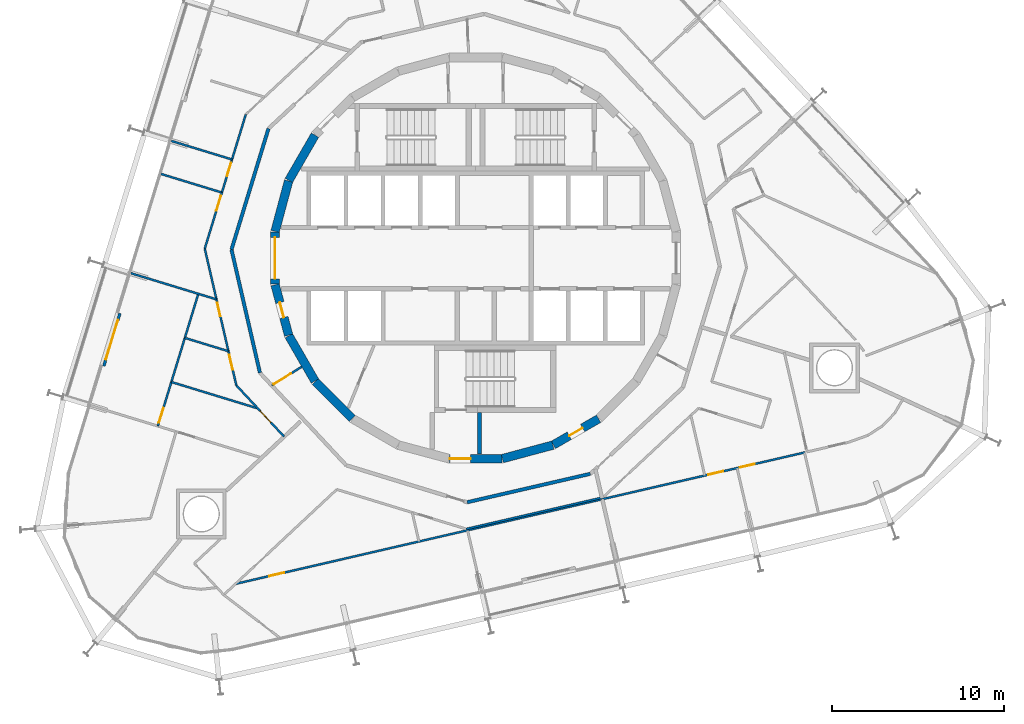
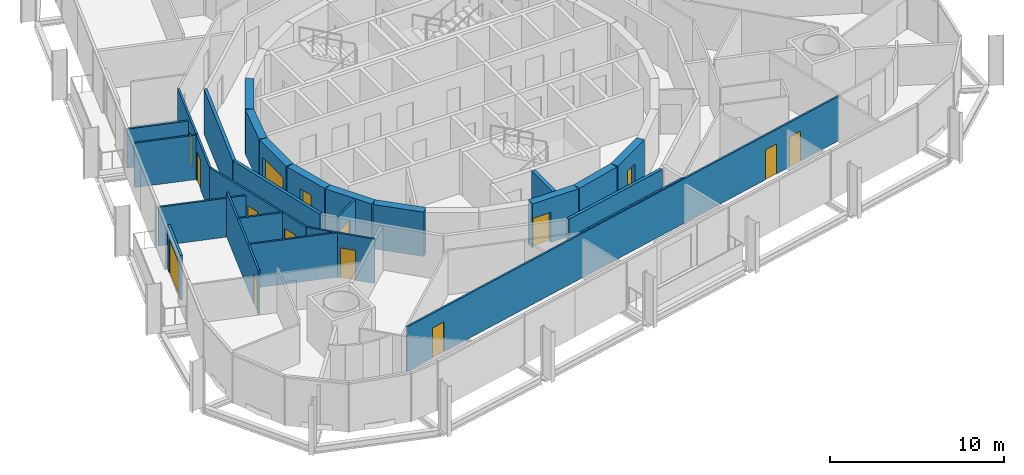
# One storey, part 12 of 18: 27 walls, 15 doors, 15 openings.
"""IFC4 building model written with IfcOpenShell, lengths in metres."""

from ifc_helpers import new_model, si_unit, direction, frame, frame_2d, origin, place, context, subcontext, project, spatial, rectangle, extrude, material, layer, layer_set, type_object, element, fill, save


model = new_model("IFC4")

# Units and contexts
model_context = context("Model", 3, precision=1e-05, world=origin(), true_north=direction((0.0, 1.0)))
body_context = subcontext(model_context, "Body", "Model", "MODEL_VIEW")
ifc_project = project(units=[si_unit("LENGTHUNIT", "METRE"), si_unit("AREAUNIT", "SQUARE_METRE"), si_unit("VOLUMEUNIT", "CUBIC_METRE"), si_unit("PLANEANGLEUNIT", "RADIAN"), si_unit("MASSUNIT", "GRAM", prefix="KILO")], contexts=[model_context])

# Site, building, storey
site_placement = place(None, origin())
site = spatial("IfcSite", under=ifc_project, at=site_placement, CompositionType="ELEMENT")
building_placement = place(site_placement, origin())
building = spatial("IfcBuilding", under=site, at=building_placement, Name="Spindle Arch Residences", CompositionType="ELEMENT")
storey_placement = place(building_placement, frame((0.0, 0.0, 130.89990234375)))
storey = spatial("IfcBuildingStorey", under=building, at=storey_placement, Name="L32", CompositionType="ELEMENT", Elevation=130.89990234375)

# Wall
ifc_material_1 = material(Name="Concrete C50/60", Category="concrete")
ifc_layer_1 = layer(ifc_material_1, 0.5)
ifc_layer_set_1 = layer_set([ifc_layer_1], Name="Core outline wall 500")
wall_type_1 = type_object("IfcWallType", Name="Core outline wall 500", PredefinedType="SHEAR", material=ifc_layer_set_1)
wall_1_placement = place(storey_placement, frame((1.5498046875, -11.642822265625, 0.0), z_axis=(0.0, 0.0, 1.0), x_axis=(0.965948410781, 0.258734743916, 0.0)))
element("IfcWall", 1, at=wall_1_placement, inside=storey, type_object=wall_type_1, Name="Core outline wall 1", PredefinedType="SHEAR", context=body_context, shape_type="SweptSolid", body=[
    extrude(rectangle(XDim=3.03271484375, YDim=0.5, at=frame_2d((1.516357421875, 0.0))), origin(), (0.0, 0.0, 1.0), 3.1201171875),
])

# Wall, opening, door
wall_2_placement = place(storey_placement, frame((4.510498046875, -10.84521484375, 0.0), z_axis=(0.0, 0.0, 1.0), x_axis=(0.865975092491, 0.500087131594, 0.0)))
wall_2 = element("IfcWall", 2, at=wall_2_placement, inside=storey, type_object=wall_type_1, Name="Core outline wall 2", PredefinedType="SHEAR", context=body_context, shape_type="SweptSolid", body=[
    extrude(rectangle(XDim=3.03271484375, YDim=0.5, at=frame_2d((1.516357421875, 0.0))), origin(), (0.0, 0.0, 1.0), 3.1201171875),
])
opening_1_placement = place(wall_2_placement, frame((1.06640625, 0.0, 0.0)))
opening_1 = element("IfcOpeningElement", 3, at=opening_1_placement, cuts=wall_2, Name="Opening R3B1-WD09", PredefinedType="OPENING", context=body_context, shape_type="SweptSolid", body=[
    extrude(rectangle(XDim=0.89990234375, YDim=2.10009765625, at=frame_2d((0.449951171875, 1.050048828125))), frame((0.0, 0.260009765625, 0.0), z_axis=(0.0, -1.0, 0.0), x_axis=(1.0, 0.0, 0.0)), (0.0, 0.0, 1.0), 0.52001953125),
])
ifc_material_2 = material(Name="Steel, fire-resisting door", Category="steel")
door_type_1 = type_object("IfcDoorType", Name="Service room door 900x2100", OperationType="SINGLE_SWING_LEFT", PredefinedType="DOOR", material=ifc_material_2)
door_1_placement = place(opening_1_placement, origin())
door_1 = element("IfcDoor", 4, at=door_1_placement, inside=storey, type_object=door_type_1, Name="Service room door R3B1-WD09", OperationType="SINGLE_SWING_RIGHT", OverallHeight=2.10009765625, OverallWidth=0.89990234375, PredefinedType="DOOR", context=body_context, shape_type="SweptSolid", body=[
    extrude(rectangle(XDim=0.89990234375, YDim=2.10009765625, at=frame_2d((0.449951171875, 1.050048828125))), frame((0.0, 0.02490234375, 0.0), z_axis=(0.0, -1.0, 0.0), x_axis=(1.0, 0.0, 0.0)), (0.0, 0.0, 1.0), 0.050048828125),
])
fill(opening_1, door_1)

# Walls
for number, where, z_axis, x_axis, name in (
    (5, (-9.32861328125, 7.13671875, 0.0), (0.0, 0.0, 1.0), (-0.500087131594, -0.865975092491, 0.0), "Core outline wall 16"),
    (6, (-10.858154296875, 4.479248046875, 0.0), (0.0, 0.0, 1.0), (-0.258734743916, -0.965948410781, 0.0), "Core outline wall 17"),
):
    element("IfcWall", number, at=place(storey_placement, frame(where, z_axis=z_axis, x_axis=x_axis)), inside=storey, type_object=wall_type_1, Name=name, PredefinedType="SHEAR", context=body_context, shape_type="SweptSolid", body=[
        extrude(rectangle(XDim=3.03271484375, YDim=0.5, at=frame_2d((1.516357421875, 0.0))), origin(), (0.0, 0.0, 1.0), 3.1201171875),
    ])

# Wall, opening, door
wall_3_placement = place(storey_placement, frame((-11.647216796875, 1.516357421875, 0.0), z_axis=(0.0, 0.0, 1.0), x_axis=(0.0, -1.0, 0.0)))
wall_3 = element("IfcWall", 7, at=wall_3_placement, inside=storey, type_object=wall_type_1, Name="Core outline wall 18", PredefinedType="SHEAR", context=body_context, shape_type="SweptSolid", body=[
    extrude(rectangle(XDim=3.03271484375, YDim=0.5, at=frame_2d((1.516357421875, 0.0))), origin(), (0.0, 0.0, 1.0), 3.1201171875),
])
opening_2_placement = place(wall_3_placement, frame((0.31640625, 0.0, 0.0)))
opening_2 = element("IfcOpeningElement", 8, at=opening_2_placement, cuts=wall_3, Name="Opening R3B1-LE01", PredefinedType="OPENING", context=body_context, shape_type="SweptSolid", body=[
    extrude(rectangle(XDim=2.39990234375, YDim=2.10009765625, at=frame_2d((1.199951171875, 1.050048828125))), frame((0.0, 0.260009765625, 0.0), z_axis=(0.0, -1.0, 0.0), x_axis=(1.0, 0.0, 0.0)), (0.0, 0.0, 1.0), 0.52001953125),
])
ifc_material_3 = material(Name="Steel, fire-resisting door", Category="steel")
door_type_2 = type_object("IfcDoorType", Name="Lift lobby entrance door 2400x2100", OperationType="DOUBLE_DOOR_SINGLE_SWING", PredefinedType="DOOR", material=ifc_material_3)
door_2_placement = place(opening_2_placement, origin())
door_2 = element("IfcDoor", 9, at=door_2_placement, inside=storey, type_object=door_type_2, Name="Lift lobby entrance door R3B1-LE01", OperationType="DOUBLE_DOOR_SINGLE_SWING", OverallHeight=2.10009765625, OverallWidth=2.39990234375, PredefinedType="DOOR", context=body_context, shape_type="SweptSolid", body=[
    extrude(rectangle(XDim=2.39990234375, YDim=2.10009765625, at=frame_2d((1.199951171875, 1.050048828125))), frame((0.0, 0.02490234375, 0.0), z_axis=(0.0, -1.0, 0.0), x_axis=(1.0, 0.0, 0.0)), (0.0, 0.0, 1.0), 0.050048828125),
])
fill(opening_2, door_2)

wall_4_placement = place(storey_placement, frame((-11.642822265625, -1.5498046875, 0.0), z_axis=(0.0, 0.0, 1.0), x_axis=(0.258734743916, -0.965948410781, 0.0)))
wall_4 = element("IfcWall", 10, at=wall_4_placement, inside=storey, type_object=wall_type_1, Name="Core outline wall 19", PredefinedType="SHEAR", context=body_context, shape_type="SweptSolid", body=[
    extrude(rectangle(XDim=3.03271484375, YDim=0.5, at=frame_2d((1.516357421875, 0.0))), origin(), (0.0, 0.0, 1.0), 3.1201171875),
])
opening_3_placement = place(wall_4_placement, frame((1.06640625, 0.0, 0.0)))
opening_3 = element("IfcOpeningElement", 11, at=opening_3_placement, cuts=wall_4, Name="Opening R3B1-WD10", PredefinedType="OPENING", context=body_context, shape_type="SweptSolid", body=[
    extrude(rectangle(XDim=0.89990234375, YDim=2.10009765625, at=frame_2d((0.449951171875, 1.050048828125))), frame((0.0, 0.260009765625, 0.0), z_axis=(0.0, -1.0, 0.0), x_axis=(1.0, 0.0, 0.0)), (0.0, 0.0, 1.0), 0.52001953125),
])
door_3_placement = place(opening_3_placement, origin())
door_3 = element("IfcDoor", 12, at=door_3_placement, inside=storey, type_object=door_type_1, Name="Service room door R3B1-WD10", OperationType="SINGLE_SWING_LEFT", OverallHeight=2.10009765625, OverallWidth=0.89990234375, PredefinedType="DOOR", context=body_context, shape_type="SweptSolid", body=[
    extrude(rectangle(XDim=0.89990234375, YDim=2.10009765625, at=frame_2d((0.449951171875, 1.050048828125))), frame((0.0, 0.02490234375, 0.0), z_axis=(0.0, -1.0, 0.0), x_axis=(1.0, 0.0, 0.0)), (0.0, 0.0, 1.0), 0.050048828125),
])
fill(opening_3, door_3)

# Walls
wall_5_placement = place(storey_placement, frame((-10.84521484375, -4.510498046875, 0.0), z_axis=(0.0, 0.0, 1.0), x_axis=(0.500087131594, -0.865975092491, 0.0)))
element("IfcWall", 13, at=wall_5_placement, inside=storey, type_object=wall_type_1, Name="Core outline wall 20", PredefinedType="SHEAR", context=body_context, shape_type="SweptSolid", body=[
    extrude(rectangle(XDim=3.03271484375, YDim=0.5, at=frame_2d((1.516357421875, 0.0))), origin(), (0.0, 0.0, 1.0), 3.1201171875),
])
wall_6_placement = place(storey_placement, frame((-9.30810546875, -7.163818359375, 0.0), z_axis=(0.0, 0.0, 1.0), x_axis=(0.707106781187, -0.707106781187, 0.0)))
element("IfcWall", 14, at=wall_6_placement, inside=storey, type_object=wall_type_1, Name="Core outline wall 21", PredefinedType="SHEAR", context=body_context, shape_type="SweptSolid", body=[
    extrude(rectangle(XDim=3.032470703125, YDim=0.5, at=frame_2d((1.51611328125, 0.0))), origin(), (0.0, 0.0, 1.0), 3.1201171875),
])

# Wall, opening, door
wall_7_placement = place(storey_placement, frame((-1.516357421875, -11.647216796875, 0.0), z_axis=(0.0, 0.0, 1.0), x_axis=(1.0, 0.0, 0.0)))
wall_7 = element("IfcWall", 15, at=wall_7_placement, inside=storey, type_object=wall_type_1, Name="Core outline wall 24", PredefinedType="SHEAR", context=body_context, shape_type="SweptSolid", body=[
    extrude(rectangle(XDim=3.03271484375, YDim=0.5, at=frame_2d((1.516357421875, 0.0))), origin(), (0.0, 0.0, 1.0), 3.1201171875),
])
opening_4_placement = place(wall_7_placement, frame((0.016357421875, 0.0, 0.0)))
opening_4 = element("IfcOpeningElement", 16, at=opening_4_placement, cuts=wall_7, Name="Opening R3B1-AD03", PredefinedType="OPENING", context=body_context, shape_type="SweptSolid", body=[
    extrude(rectangle(XDim=1.199951171875, YDim=2.10009765625, at=frame_2d((0.60009765625, 1.050048828125))), frame((0.0, 0.260009765625, 0.0), z_axis=(0.0, -1.0, 0.0), x_axis=(1.0, 0.0, 0.0)), (0.0, 0.0, 1.0), 0.52001953125),
])
ifc_material_4 = material(Name="Steel, fire-resisting door", Category="steel")
door_type_3 = type_object("IfcDoorType", Name="Stair airlock door 1200x2100", OperationType="SINGLE_SWING_LEFT", PredefinedType="DOOR", material=ifc_material_4)
door_4_placement = place(opening_4_placement, origin())
door_4 = element("IfcDoor", 17, at=door_4_placement, inside=storey, type_object=door_type_3, Name="Stair airlock door R3B1-AD03", OperationType="SINGLE_SWING_RIGHT", OverallHeight=2.10009765625, OverallWidth=1.199951171875, PredefinedType="DOOR", context=body_context, shape_type="SweptSolid", body=[
    extrude(rectangle(XDim=1.199951171875, YDim=2.10009765625, at=frame_2d((0.60009765625, 1.050048828125))), frame((0.0, 0.02490234375, 0.0), z_axis=(0.0, -1.0, 0.0), x_axis=(1.0, 0.0, 0.0)), (0.0, 0.0, 1.0), 0.050048828125),
])
fill(opening_4, door_4)

ifc_material_5 = material(Name="Plasterboard on steel studs", Category="steel")
ifc_layer_2 = layer(ifc_material_5, 0.1201171875)
ifc_layer_set_2 = layer_set([ifc_layer_2], Name="Corridor division wall 120")
wall_type_2 = type_object("IfcWallType", Name="Corridor division wall 120", PredefinedType="PARTITIONING", material=ifc_layer_set_2)
wall_8_placement = place(storey_placement, frame((-11.835693359375, -7.395751953125, 0.0), z_axis=(0.0, 0.0, 1.0), x_axis=(0.848071831599, 0.529881277692, 0.0)))
wall_8 = element("IfcWall", 18, at=wall_8_placement, inside=storey, type_object=wall_type_2, Name="Corridor division wall R3B1-W003", PredefinedType="PARTITIONING", context=body_context, shape_type="SweptSolid", body=[
    extrude(rectangle(XDim=2.0517578125, YDim=0.1201171875, at=frame_2d((1.02587890625, 0.0))), origin(), (0.0, 0.0, 1.0), 3.1201171875),
])
opening_5_placement = place(wall_8_placement, frame((0.125, 0.0, 0.0)))
opening_5 = element("IfcOpeningElement", 19, at=opening_5_placement, cuts=wall_8, Name="Opening R3B1-CD03", PredefinedType="OPENING", context=body_context, shape_type="SweptSolid", body=[
    extrude(rectangle(XDim=1.199951171875, YDim=2.10009765625, at=frame_2d((0.60009765625, 1.050048828125))), frame((0.0, 0.070068359375, 0.0), z_axis=(0.0, -1.0, 0.0), x_axis=(1.0, 0.0, 0.0)), (0.0, 0.0, 1.0), 0.14013671875),
])
ifc_material_6 = material(Name="Steel, fire-resisting door", Category="steel")
door_type_4 = type_object("IfcDoorType", Name="Corridor division door 1200x2100", OperationType="NOTDEFINED", PredefinedType="DOOR", material=ifc_material_6)
door_5_placement = place(opening_5_placement, origin())
door_5 = element("IfcDoor", 20, at=door_5_placement, inside=storey, type_object=door_type_4, Name="Corridor division door R3B1-CD03", OperationType="DOUBLE_DOOR_SINGLE_SWING", OverallHeight=2.10009765625, OverallWidth=1.199951171875, PredefinedType="DOOR", context=body_context, shape_type="SweptSolid", body=[
    extrude(rectangle(XDim=1.199951171875, YDim=2.10009765625, at=frame_2d((0.60009765625, 1.050048828125))), frame((0.0, 0.02490234375, 0.0), z_axis=(0.0, -1.0, 0.0), x_axis=(1.0, 0.0, 0.0)), (0.0, 0.0, 1.0), 0.050048828125),
])
fill(opening_5, door_5)

# Walls
ifc_material_7 = material(Name="Calcium silicate block, plastered")
ifc_layer_3 = layer(ifc_material_7, 0.199951171875)
ifc_layer_set_3 = layer_set([ifc_layer_3], Name="Corridor wall 200")
wall_type_3 = type_object("IfcWallType", Name="Corridor wall 200", PredefinedType="STANDARD", material=ifc_layer_set_3)
wall_9_placement = place(storey_placement, frame((-12.028076171875, 7.51611328125, 0.0), z_axis=(0.0, 0.0, 1.0), x_axis=(-0.292365533182, -0.956306642771, 0.0)))
element("IfcWall", 21, at=wall_9_placement, inside=storey, type_object=wall_type_3, Name="Corridor wall R3B1-W010", PredefinedType="STANDARD", context=body_context, shape_type="SweptSolid", body=[
    extrude(rectangle(XDim=7.341796875, YDim=0.199951171875, at=frame_2d((3.6708984375, 0.0))), origin(), (0.0, 0.0, 1.0), 3.1201171875),
])
for number, where, z_axis, x_axis, name in (
    (22, (-14.174560546875, 0.4951171875, 0.0), (0.0, 0.0, 1.0), (0.224922649383, -0.974376622151, 0.0), "Corridor wall R3B1-W011"),
    (23, (-0.4951171875, -14.174560546875, 0.0), (0.0, 0.0, 1.0), (0.974376622151, 0.224922649383, 0.0), "Corridor wall R3B1-W014"),
):
    element("IfcWall", number, at=place(storey_placement, frame(where, z_axis=z_axis, x_axis=x_axis)), inside=storey, type_object=wall_type_3, Name=name, PredefinedType="STANDARD", context=body_context, shape_type="SweptSolid", body=[
        extrude(rectangle(XDim=7.342041015625, YDim=0.199951171875, at=frame_2d((3.6708984375, 0.0))), origin(), (0.0, 0.0, 1.0), 3.1201171875),
    ])

# Wall, opening, door
ifc_material_8 = material(Name="Plasterboard on steel studs", Category="steel")
ifc_layer_4 = layer(ifc_material_8, 0.1201171875)
ifc_layer_set_4 = layer_set([ifc_layer_4], Name="Flat partition 120")
wall_type_4 = type_object("IfcWallType", Name="Flat partition 120", PredefinedType="PARTITIONING", material=ifc_layer_set_4)
wall_10_placement = place(storey_placement, frame((-13.34521484375, 8.3388671875, 0.0), z_axis=(0.0, 0.0, 1.0), x_axis=(-0.292341490839, -0.956313992752, 0.0)))
wall_10 = element("IfcWall", 24, at=wall_10_placement, inside=storey, type_object=wall_type_4, Name="Flat partition R3B1-W058", PredefinedType="PARTITIONING", context=body_context, shape_type="SweptSolid", body=[
    extrude(rectangle(XDim=4.74169921875, YDim=0.1201171875, at=frame_2d((2.370849609375, 0.0))), origin(), (0.0, 0.0, 1.0), 3.1201171875),
])
opening_6_placement = place(wall_10_placement, frame((2.9345703125, 0.0, 0.0)))
opening_6 = element("IfcOpeningElement", 25, at=opening_6_placement, cuts=wall_10, Name="Opening R3B1-BD03", PredefinedType="OPENING", context=body_context, shape_type="SweptSolid", body=[
    extrude(rectangle(XDim=0.800048828125, YDim=2.10009765625, at=frame_2d((0.39990234375, 1.050048828125))), frame((0.0, 0.070068359375, 0.0), z_axis=(0.0, -1.0, 0.0), x_axis=(1.0, 0.0, 0.0)), (0.0, 0.0, 1.0), 0.14013671875),
])
ifc_material_9 = material(Name="Timber door set", Category="wood")
door_type_5 = type_object("IfcDoorType", Name="Bathroom door 800x2100", OperationType="NOTDEFINED", PredefinedType="DOOR", material=ifc_material_9)
door_6_placement = place(opening_6_placement, origin())
door_6 = element("IfcDoor", 26, at=door_6_placement, inside=storey, type_object=door_type_5, Name="Bathroom door R3B1-BD03", OperationType="SINGLE_SWING_LEFT", OverallHeight=2.10009765625, OverallWidth=0.800048828125, PredefinedType="DOOR", context=body_context, shape_type="SweptSolid", body=[
    extrude(rectangle(XDim=0.800048828125, YDim=2.10009765625, at=frame_2d((0.39990234375, 1.050048828125))), frame((0.0, 0.02490234375, 0.0), z_axis=(0.0, -1.0, 0.0), x_axis=(1.0, 0.0, 0.0)), (0.0, 0.0, 1.0), 0.050048828125),
])
fill(opening_6, door_6)

wall_11_placement = place(storey_placement, frame((-14.7314453125, 3.80419921875, 0.0), z_axis=(0.0, 0.0, 1.0), x_axis=(-0.292371609919, -0.956304784947, 0.0)))
wall_11 = element("IfcWall", 27, at=wall_11_placement, inside=storey, type_object=wall_type_4, Name="Flat partition R3B1-W059", PredefinedType="PARTITIONING", context=body_context, shape_type="SweptSolid", body=[
    extrude(rectangle(XDim=3.403564453125, YDim=0.1201171875, at=frame_2d((1.70166015625, 0.0))), origin(), (0.0, 0.0, 1.0), 3.1201171875),
])
opening_7_placement = place(wall_11_placement, frame((0.199951171875, 0.0, 0.0)))
opening_7 = element("IfcOpeningElement", 28, at=opening_7_placement, cuts=wall_11, Name="Opening R3B1-ID13", PredefinedType="OPENING", context=body_context, shape_type="SweptSolid", body=[
    extrude(rectangle(XDim=0.89990234375, YDim=2.10009765625, at=frame_2d((0.449951171875, 1.050048828125))), frame((0.0, 0.070068359375, 0.0), z_axis=(0.0, -1.0, 0.0), x_axis=(1.0, 0.0, 0.0)), (0.0, 0.0, 1.0), 0.14013671875),
])
ifc_material_10 = material(Name="Timber door set", Category="wood")
door_type_6 = type_object("IfcDoorType", Name="Room door 900x2100", OperationType="NOTDEFINED", PredefinedType="DOOR", material=ifc_material_10)
door_7_placement = place(opening_7_placement, origin())
door_7 = element("IfcDoor", 29, at=door_7_placement, inside=storey, type_object=door_type_6, Name="Room door R3B1-ID13", OperationType="SINGLE_SWING_RIGHT", OverallHeight=2.10009765625, OverallWidth=0.89990234375, PredefinedType="DOOR", context=body_context, shape_type="SweptSolid", body=[
    extrude(rectangle(XDim=0.89990234375, YDim=2.10009765625, at=frame_2d((0.449951171875, 1.050048828125))), frame((0.0, 0.02490234375, 0.0), z_axis=(0.0, -1.0, 0.0), x_axis=(1.0, 0.0, 0.0)), (0.0, 0.0, 1.0), 0.050048828125),
])
fill(opening_7, door_7)

# Wall, openings, doors
wall_12_placement = place(storey_placement, frame((-15.7265625, 0.54931640625, 0.0), z_axis=(0.0, 0.0, 1.0), x_axis=(0.22493611855, -0.974373512864, 0.0)))
wall_12 = element("IfcWall", 30, at=wall_12_placement, inside=storey, type_object=wall_type_4, Name="Flat partition R3B1-W060", PredefinedType="PARTITIONING", context=body_context, shape_type="SweptSolid", body=[
    extrude(rectangle(XDim=8.145751953125, YDim=0.1201171875, at=frame_2d((4.07275390625, 0.0))), origin(), (0.0, 0.0, 1.0), 3.1201171875),
])
opening_8_placement = place(wall_12_placement, frame((3.22314453125, 0.0, 0.0)))
opening_8 = element("IfcOpeningElement", 31, at=opening_8_placement, cuts=wall_12, Name="Opening R3B1-BD04", PredefinedType="OPENING", context=body_context, shape_type="SweptSolid", body=[
    extrude(rectangle(XDim=0.800048828125, YDim=2.10009765625, at=frame_2d((0.39990234375, 1.050048828125))), frame((0.0, 0.070068359375, 0.0), z_axis=(0.0, -1.0, 0.0), x_axis=(1.0, 0.0, 0.0)), (0.0, 0.0, 1.0), 0.14013671875),
])
opening_9_placement = place(wall_12_placement, frame((6.313720703125, 0.0, 0.0)))
opening_9 = element("IfcOpeningElement", 32, at=opening_9_placement, cuts=wall_12, Name="Opening R3B1-ID14", PredefinedType="OPENING", context=body_context, shape_type="SweptSolid", body=[
    extrude(rectangle(XDim=0.89990234375, YDim=2.10009765625, at=frame_2d((0.449951171875, 1.050048828125))), frame((0.0, 0.070068359375, 0.0), z_axis=(0.0, -1.0, 0.0), x_axis=(1.0, 0.0, 0.0)), (0.0, 0.0, 1.0), 0.14013671875),
])
door_8_placement = place(opening_8_placement, origin())
door_8 = element("IfcDoor", 33, at=door_8_placement, inside=storey, type_object=door_type_5, Name="Bathroom door R3B1-BD04", OperationType="SINGLE_SWING_RIGHT", OverallHeight=2.10009765625, OverallWidth=0.800048828125, PredefinedType="DOOR", context=body_context, shape_type="SweptSolid", body=[
    extrude(rectangle(XDim=0.800048828125, YDim=2.10009765625, at=frame_2d((0.39990234375, 1.050048828125))), frame((0.0, 0.02490234375, 0.0), z_axis=(0.0, -1.0, 0.0), x_axis=(1.0, 0.0, 0.0)), (0.0, 0.0, 1.0), 0.050048828125),
])
fill(opening_8, door_8)
door_9_placement = place(opening_9_placement, origin())
door_9 = element("IfcDoor", 34, at=door_9_placement, inside=storey, type_object=door_type_6, Name="Room door R3B1-ID14", OperationType="SINGLE_SWING_RIGHT", OverallHeight=2.10009765625, OverallWidth=0.89990234375, PredefinedType="DOOR", context=body_context, shape_type="SweptSolid", body=[
    extrude(rectangle(XDim=0.89990234375, YDim=2.10009765625, at=frame_2d((0.449951171875, 1.050048828125))), frame((0.0, 0.02490234375, 0.0), z_axis=(0.0, -1.0, 0.0), x_axis=(1.0, 0.0, 0.0)), (0.0, 0.0, 1.0), 0.050048828125),
])
fill(opening_9, door_9)

# Wall, opening, door
wall_13_placement = place(storey_placement, frame((-13.894287109375, -7.3876953125, 0.0), z_axis=(0.0, 0.0, 1.0), x_axis=(0.681978591143, -0.731372135935, 0.0)))
wall_13 = element("IfcWall", 35, at=wall_13_placement, inside=storey, type_object=wall_type_4, Name="Flat partition R3B1-W061", PredefinedType="PARTITIONING", context=body_context, shape_type="SweptSolid", body=[
    extrude(rectangle(XDim=4.07275390625, YDim=0.1201171875, at=frame_2d((2.036376953125, 0.0))), origin(), (0.0, 0.0, 1.0), 3.1201171875),
])
opening_10_placement = place(wall_13_placement, frame((2.033203125, 0.0, 0.0)))
opening_10 = element("IfcOpeningElement", 36, at=opening_10_placement, cuts=wall_13, Name="Opening R3B1-ID15", PredefinedType="OPENING", context=body_context, shape_type="SweptSolid", body=[
    extrude(rectangle(XDim=0.89990234375, YDim=2.10009765625, at=frame_2d((0.449951171875, 1.050048828125))), frame((0.0, 0.070068359375, 0.0), z_axis=(0.0, -1.0, 0.0), x_axis=(1.0, 0.0, 0.0)), (0.0, 0.0, 1.0), 0.14013671875),
])
door_10_placement = place(opening_10_placement, origin())
door_10 = element("IfcDoor", 37, at=door_10_placement, inside=storey, type_object=door_type_6, Name="Room door R3B1-ID15", OperationType="SINGLE_SWING_RIGHT", OverallHeight=2.10009765625, OverallWidth=0.89990234375, PredefinedType="DOOR", context=body_context, shape_type="SweptSolid", body=[
    extrude(rectangle(XDim=0.89990234375, YDim=2.10009765625, at=frame_2d((0.449951171875, 1.050048828125))), frame((0.0, 0.02490234375, 0.0), z_axis=(0.0, -1.0, 0.0), x_axis=(1.0, 0.0, 0.0)), (0.0, 0.0, 1.0), 0.050048828125),
])
fill(opening_10, door_10)

# Wall
wall_14_placement = place(storey_placement, frame((-14.7314453125, 3.80419921875, 0.0), z_axis=(0.0, 0.0, 1.0), x_axis=(-0.956303802771, 0.292374822456, 0.0)))
element("IfcWall", 38, at=wall_14_placement, inside=storey, type_object=wall_type_4, Name="Flat partition R3B1-W064", PredefinedType="PARTITIONING", context=body_context, shape_type="SweptSolid", body=[
    extrude(rectangle(XDim=3.69091796875, YDim=0.1201171875, at=frame_2d((1.845458984375, 0.0))), origin(), (0.0, 0.0, 1.0), 3.1201171875),
])

# Wall, opening, door
wall_15_placement = place(storey_placement, frame((-18.4482421875, -9.75244140625, 0.0), z_axis=(0.0, 0.0, 1.0), x_axis=(0.292365310779, 0.956306710764, 0.0)))
wall_15 = element("IfcWall", 39, at=wall_15_placement, inside=storey, type_object=wall_type_4, Name="Flat partition R3B1-W066", PredefinedType="PARTITIONING", context=body_context, shape_type="SweptSolid", body=[
    extrude(rectangle(XDim=8.029052734375, YDim=0.1201171875, at=frame_2d((4.0146484375, 0.0))), origin(), (0.0, 0.0, 1.0), 3.1201171875),
])
opening_11_placement = place(wall_15_placement, frame((0.199951171875, 0.0, 0.0)))
opening_11 = element("IfcOpeningElement", 40, at=opening_11_placement, cuts=wall_15, Name="Opening R3B1-ID16", PredefinedType="OPENING", context=body_context, shape_type="SweptSolid", body=[
    extrude(rectangle(XDim=0.89990234375, YDim=2.10009765625, at=frame_2d((0.449951171875, 1.050048828125))), frame((0.0, 0.070068359375, 0.0), z_axis=(0.0, -1.0, 0.0), x_axis=(1.0, 0.0, 0.0)), (0.0, 0.0, 1.0), 0.14013671875),
])
door_11_placement = place(opening_11_placement, origin())
door_11 = element("IfcDoor", 41, at=door_11_placement, inside=storey, type_object=door_type_6, Name="Room door R3B1-ID16", OperationType="SINGLE_SWING_RIGHT", OverallHeight=2.10009765625, OverallWidth=0.89990234375, PredefinedType="DOOR", context=body_context, shape_type="SweptSolid", body=[
    extrude(rectangle(XDim=0.89990234375, YDim=2.10009765625, at=frame_2d((0.449951171875, 1.050048828125))), frame((0.0, 0.02490234375, 0.0), z_axis=(0.0, -1.0, 0.0), x_axis=(1.0, 0.0, 0.0)), (0.0, 0.0, 1.0), 0.050048828125),
])
fill(opening_11, door_11)

# Walls
wall_16_placement = place(storey_placement, frame((-16.88330078125, -4.633544921875, 0.0), z_axis=(0.0, 0.0, 1.0), x_axis=(0.956297869455, -0.292394228526, 0.0)))
element("IfcWall", 42, at=wall_16_placement, inside=storey, type_object=wall_type_4, Name="Flat partition R3B1-W068", PredefinedType="PARTITIONING", context=body_context, shape_type="SweptSolid", body=[
    extrude(rectangle(XDim=2.647705078125, YDim=0.1201171875, at=frame_2d((1.32373046875, 0.0))), origin(), (0.0, 0.0, 1.0), 3.1201171875),
])
wall_17_placement = place(storey_placement, frame((-17.665771484375, -7.193115234375, 0.0), z_axis=(0.0, 0.0, 1.0), x_axis=(0.956299223218, -0.292389800905, 0.0)))
element("IfcWall", 43, at=wall_17_placement, inside=storey, type_object=wall_type_4, Name="Flat partition R3B1-W069", PredefinedType="PARTITIONING", context=body_context, shape_type="SweptSolid", body=[
    extrude(rectangle(XDim=5.251220703125, YDim=0.1201171875, at=frame_2d((2.62548828125, 0.0))), origin(), (0.0, 0.0, 1.0), 3.1201171875),
])
wall_18_placement = place(storey_placement, frame((-0.54931640625, -15.7265625, 0.0), z_axis=(0.0, 0.0, 1.0), x_axis=(0.97436829548, 0.224958717908, 0.0)))
element("IfcWall", 44, at=wall_18_placement, inside=storey, type_object=wall_type_4, Name="Flat partition R3B1-W076", PredefinedType="PARTITIONING", context=body_context, shape_type="SweptSolid", body=[
    extrude(rectangle(XDim=8.08740234375, YDim=0.1201171875, at=frame_2d((4.043701171875, 0.0))), origin(), (0.0, 0.0, 1.0), 3.1201171875),
])

# Wall, openings, doors
wall_19_placement = place(storey_placement, frame((-13.938720703125, -18.9111328125, 0.0), z_axis=(0.0, 0.0, 1.0), x_axis=(0.974369607456, 0.224953035245, 0.0)))
wall_19 = element("IfcWall", 45, at=wall_19_placement, inside=storey, type_object=wall_type_4, Name="Flat partition R3B1-W082", PredefinedType="PARTITIONING", context=body_context, shape_type="SweptSolid", body=[
    extrude(rectangle(XDim=33.933837890625, YDim=0.1201171875, at=frame_2d((16.966796875, 0.0))), origin(), (0.0, 0.0, 1.0), 3.1201171875),
])
opening_12_placement = place(wall_19_placement, frame((2.0, 0.0, 0.0)))
opening_12 = element("IfcOpeningElement", 46, at=opening_12_placement, cuts=wall_19, Name="Opening R3B1-ID21", PredefinedType="OPENING", context=body_context, shape_type="SweptSolid", body=[
    extrude(rectangle(XDim=0.89990234375, YDim=2.10009765625, at=frame_2d((0.449951171875, 1.050048828125))), frame((0.0, 0.070068359375, 0.0), z_axis=(0.0, -1.0, 0.0), x_axis=(1.0, 0.0, 0.0)), (0.0, 0.0, 1.0), 0.14013671875),
])
opening_13_placement = place(wall_19_placement, frame((28.153564453125, 0.0, 0.0)))
opening_13 = element("IfcOpeningElement", 47, at=opening_13_placement, cuts=wall_19, Name="Opening R3B1-ID25", PredefinedType="OPENING", context=body_context, shape_type="SweptSolid", body=[
    extrude(rectangle(XDim=0.89990234375, YDim=2.10009765625, at=frame_2d((0.449951171875, 1.050048828125))), frame((0.0, 0.070068359375, 0.0), z_axis=(0.0, -1.0, 0.0), x_axis=(1.0, 0.0, 0.0)), (0.0, 0.0, 1.0), 0.14013671875),
])
opening_14_placement = place(wall_19_placement, frame((30.039306640625, 0.0, 0.0)))
opening_14 = element("IfcOpeningElement", 48, at=opening_14_placement, cuts=wall_19, Name="Opening R3B1-ID26", PredefinedType="OPENING", context=body_context, shape_type="SweptSolid", body=[
    extrude(rectangle(XDim=0.89990234375, YDim=2.10009765625, at=frame_2d((0.449951171875, 1.050048828125))), frame((0.0, 0.070068359375, 0.0), z_axis=(0.0, -1.0, 0.0), x_axis=(1.0, 0.0, 0.0)), (0.0, 0.0, 1.0), 0.14013671875),
])
door_12_placement = place(opening_12_placement, origin())
door_12 = element("IfcDoor", 49, at=door_12_placement, inside=storey, type_object=door_type_6, Name="Room door R3B1-ID21", OperationType="SINGLE_SWING_LEFT", OverallHeight=2.10009765625, OverallWidth=0.89990234375, PredefinedType="DOOR", context=body_context, shape_type="SweptSolid", body=[
    extrude(rectangle(XDim=0.89990234375, YDim=2.10009765625, at=frame_2d((0.449951171875, 1.050048828125))), frame((0.0, 0.02490234375, 0.0), z_axis=(0.0, -1.0, 0.0), x_axis=(1.0, 0.0, 0.0)), (0.0, 0.0, 1.0), 0.050048828125),
])
fill(opening_12, door_12)
door_13_placement = place(opening_13_placement, origin())
door_13 = element("IfcDoor", 50, at=door_13_placement, inside=storey, type_object=door_type_6, Name="Room door R3B1-ID25", OperationType="SINGLE_SWING_RIGHT", OverallHeight=2.10009765625, OverallWidth=0.89990234375, PredefinedType="DOOR", context=body_context, shape_type="SweptSolid", body=[
    extrude(rectangle(XDim=0.89990234375, YDim=2.10009765625, at=frame_2d((0.449951171875, 1.050048828125))), frame((0.0, 0.02490234375, 0.0), z_axis=(0.0, -1.0, 0.0), x_axis=(1.0, 0.0, 0.0)), (0.0, 0.0, 1.0), 0.050048828125),
])
fill(opening_13, door_13)
door_14_placement = place(opening_14_placement, origin())
door_14 = element("IfcDoor", 51, at=door_14_placement, inside=storey, type_object=door_type_6, Name="Room door R3B1-ID26", OperationType="SINGLE_SWING_RIGHT", OverallHeight=2.10009765625, OverallWidth=0.89990234375, PredefinedType="DOOR", context=body_context, shape_type="SweptSolid", body=[
    extrude(rectangle(XDim=0.89990234375, YDim=2.10009765625, at=frame_2d((0.449951171875, 1.050048828125))), frame((0.0, 0.02490234375, 0.0), z_axis=(0.0, -1.0, 0.0), x_axis=(1.0, 0.0, 0.0)), (0.0, 0.0, 1.0), 0.050048828125),
])
fill(opening_14, door_14)

# Walls
ifc_material_11 = material(Name="Plasterboard on steel studs", Category="steel")
ifc_layer_5 = layer(ifc_material_11, 0.1201171875)
ifc_layer_set_5 = layer_set([ifc_layer_5], Name="Flat partition 120 under beam 2730")
wall_type_5 = type_object("IfcWallType", Name="Flat partition 120 under beam 2730", PredefinedType="PARTITIONING", material=ifc_layer_set_5)
wall_20_placement = place(storey_placement, frame((-17.67431640625, 6.802978515625, 0.0), z_axis=(0.0, 0.0, 1.0), x_axis=(0.956309456779, -0.292356328604, 0.0)))
element("IfcWall", 52, at=wall_20_placement, inside=storey, type_object=wall_type_5, Name="Flat partition R3B1-W063", PredefinedType="PARTITIONING", context=body_context, shape_type="SweptSolid", body=[
    extrude(rectangle(XDim=3.691162109375, YDim=0.1201171875, at=frame_2d((1.845703125, 0.0))), origin(), (0.0, 0.0, 1.0), 2.72998046875),
])
wall_21_placement = place(storey_placement, frame((-20.021728515625, -0.87548828125, 0.0), z_axis=(0.0, 0.0, 1.0), x_axis=(0.956311126457, -0.292350866963, 0.0)))
element("IfcWall", 53, at=wall_21_placement, inside=storey, type_object=wall_type_5, Name="Flat partition R3B1-W065", PredefinedType="PARTITIONING", context=body_context, shape_type="SweptSolid", body=[
    extrude(rectangle(XDim=5.20263671875, YDim=0.1201171875, at=frame_2d((2.601318359375, 0.0))), origin(), (0.0, 0.0, 1.0), 2.72998046875),
])

# Wall, opening, door
ifc_material_12 = material(Name="Non-combustible mineral wool insulated aluminium faced external wall (K0)", Category="aluminium")
ifc_layer_6 = layer(ifc_material_12, 0.159912109375)
ifc_layer_set_6 = layer_set([ifc_layer_6], Name="Insulated external wall panel 160")
wall_type_6 = type_object("IfcWallType", Name="Insulated external wall panel 160", PredefinedType="STANDARD", material=ifc_layer_set_6)
wall_22_placement = place(storey_placement, frame((-20.651123046875, -3.2080078125, 0.0), z_axis=(0.0, 0.0, 1.0), x_axis=(-0.292369725807, -0.956305360976, 0.0)))
wall_22 = element("IfcWall", 54, at=wall_22_placement, inside=storey, type_object=wall_type_6, Name="External wall L32 bay 16", PredefinedType="STANDARD", context=body_context, shape_type="SweptSolid", body=[
    extrude(rectangle(XDim=3.199951171875, YDim=0.159912109375, at=frame_2d((1.60009765625, 0.0))), origin(), (0.0, 0.0, 1.0), 3.1201171875),
])
opening_15_placement = place(wall_22_placement, frame((0.39990234375, 0.0, 0.0)))
opening_15 = element("IfcOpeningElement", 55, at=opening_15_placement, cuts=wall_22, Name="Opening BD16", PredefinedType="OPENING", context=body_context, shape_type="SweptSolid", body=[
    extrude(rectangle(XDim=2.39990234375, YDim=2.39990234375, at=frame_2d((1.199951171875, 1.199951171875))), frame((0.0, 0.08984375, 0.0), z_axis=(0.0, -1.0, 0.0), x_axis=(1.0, 0.0, 0.0)), (0.0, 0.0, 1.0), 0.179931640625),
])
ifc_material_13 = material(Name="Bronze aluminium frame, tinted double glazing", Category="aluminium")
door_type_7 = type_object("IfcDoorType", Name="Sliding glazed balcony door 2400x2400", OperationType="DOUBLE_DOOR_SLIDING", PredefinedType="DOOR", material=ifc_material_13)
door_15_placement = place(opening_15_placement, origin())
door_15 = element("IfcDoor", 56, at=door_15_placement, inside=storey, type_object=door_type_7, Name="Balcony door BD16", OperationType="DOUBLE_DOOR_SLIDING", OverallHeight=2.39990234375, OverallWidth=2.39990234375, PredefinedType="DOOR", context=body_context, shape_type="SweptSolid", body=[
    extrude(rectangle(XDim=2.39990234375, YDim=2.39990234375, at=frame_2d((1.199951171875, 1.199951171875))), frame((0.0, 0.02490234375, 0.0), z_axis=(0.0, -1.0, 0.0), x_axis=(1.0, 0.0, 0.0)), (0.0, 0.0, 1.0), 0.050048828125),
])
fill(opening_15, door_15)

# Wall
ifc_material_14 = material(Name="Concrete C40/50", Category="concrete")
ifc_layer_7 = layer(ifc_material_14, 0.25)
ifc_layer_set_7 = layer_set([ifc_layer_7], Name="Stair airlock wall 250")
wall_type_7 = type_object("IfcWallType", Name="Stair airlock wall 250", PredefinedType="SHEAR", material=ifc_layer_set_7)
wall_23_placement = place(storey_placement, frame((0.22509765625, -8.969970703125, 0.0), z_axis=(0.0, 0.0, 1.0), x_axis=(0.0, -1.0, 0.0)))
element("IfcWall", 57, at=wall_23_placement, inside=storey, type_object=wall_type_7, Name="Stair ST-3 airlock wall E", PredefinedType="SHEAR", context=body_context, shape_type="SweptSolid", body=[
    extrude(rectangle(XDim=2.409912109375, YDim=0.25, at=frame_2d((1.205078125, 0.0))), origin(), (0.0, 0.0, 1.0), 3.1201171875),
])

save(model, "model.ifc")
